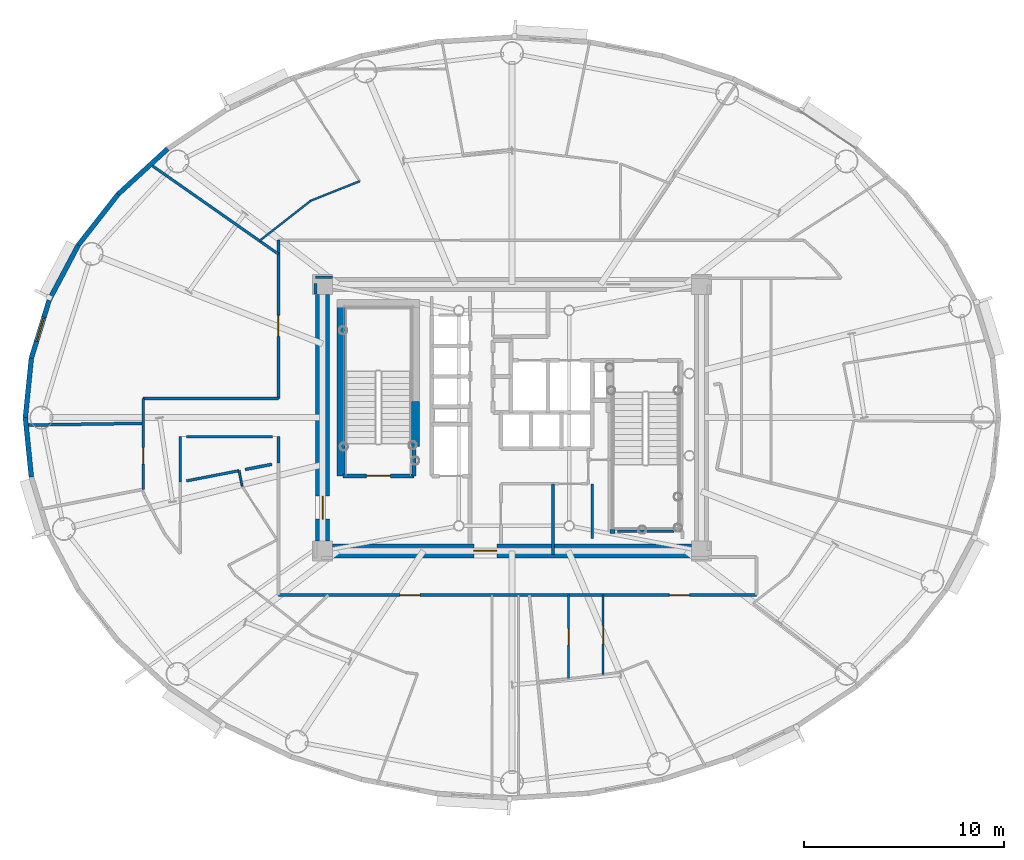
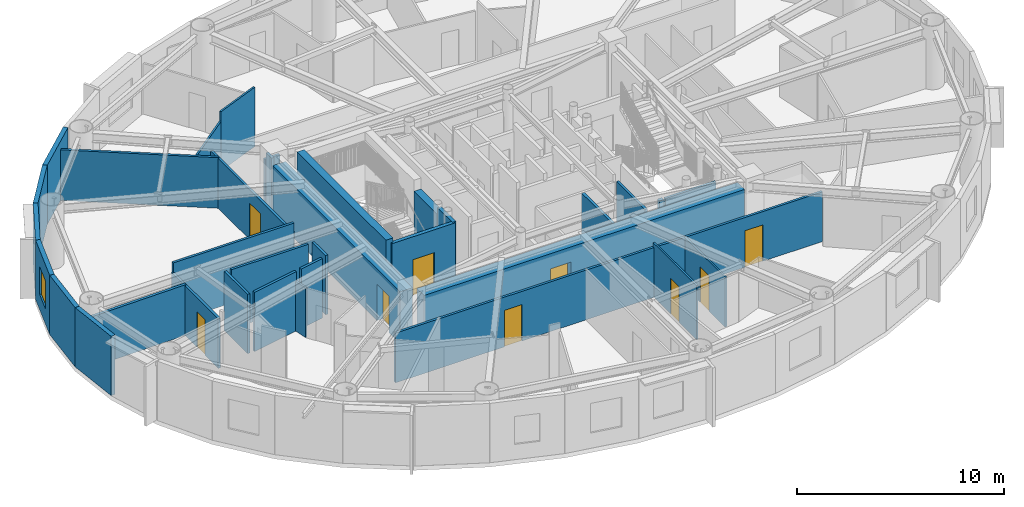
# One storey, part 10 of 21: 34 walls, 9 doors, 1 window, 10 openings.
"""IFC4 building model written with IfcOpenShell, lengths in metres."""

from ifc_helpers import new_model, si_unit, direction, frame, frame_2d, origin, origin_2d, place, context, subcontext, project, spatial, rectangle, extrude, source, transform, mapped, material, layer, layer_set, type_object, element, fill, save


model = new_model("IFC4")

# Units and contexts
model_context = context("Model", 3, precision=1e-05, world=origin(), true_north=direction((0.0, 1.0)))
body_context = subcontext(model_context, "Body", "Model", "MODEL_VIEW")
ifc_project = project(units=[si_unit("LENGTHUNIT", "METRE"), si_unit("AREAUNIT", "SQUARE_METRE"), si_unit("VOLUMEUNIT", "CUBIC_METRE"), si_unit("PLANEANGLEUNIT", "RADIAN"), si_unit("MASSUNIT", "GRAM", prefix="KILO")], contexts=[model_context])

# Site, building, storey
site_placement = place(None, origin())
site = spatial("IfcSite", under=ifc_project, at=site_placement, CompositionType="ELEMENT")
building_placement = place(site_placement, origin())
building = spatial("IfcBuilding", under=site, at=building_placement, Name="Linh Dai School and Residence Tower", CompositionType="ELEMENT")
storey_placement = place(building_placement, frame((0.0, 0.0, 251.550048828125)))
storey = spatial("IfcBuildingStorey", under=building, at=storey_placement, Name="L62", CompositionType="ELEMENT", Elevation=251.550048828125)

# Walls
ifc_material_1 = material(Name="Precast Concrete B45 (C35/45)", Category="concrete")
ifc_layer_1 = layer(ifc_material_1, 0.239990234375)
ifc_layer_set_1 = layer_set([ifc_layer_1], Name="Precast Concrete B45 (C35/45)")
wall_type_1 = type_object("IfcWallType", Name="EW-TC-240", PredefinedType="SOLIDWALL", material=ifc_layer_set_1)
wall_1_placement = place(storey_placement, frame((16.3515625, 38.14453125, 0.0), z_axis=(0.0, 0.0, 1.0), x_axis=(0.737123922599, 0.675757591694, 0.0)))
element("IfcWall", 1, at=wall_1_placement, inside=storey, type_object=wall_type_1, Name="L62 Terracotta Exterior Wall 16", PredefinedType="SOLIDWALL", context=body_context, shape_type="SweptSolid", body=[
    extrude(rectangle(XDim=3.353759765625, YDim=0.239990234375, at=frame_2d((1.6767578125, 0.0))), origin(), (0.0, 0.0, 1.0), 3.5),
])
wall_2_placement = place(storey_placement, frame((14.3642578125, 35.605224609375, 0.0), z_axis=(0.0, 0.0, 1.0), x_axis=(0.616312344705, 0.787501805562, 0.0)))
element("IfcWall", 2, at=wall_2_placement, inside=storey, type_object=wall_type_1, Name="L62 Terracotta Exterior Wall 17", PredefinedType="SOLIDWALL", context=body_context, shape_type="SweptSolid", body=[
    extrude(rectangle(XDim=3.224609375, YDim=0.239990234375, at=frame_2d((1.6123046875, 0.0))), origin(), (0.0, 0.0, 1.0), 3.5),
])
wall_3_placement = place(storey_placement, frame((12.90966796875, 32.85595703125, 0.0), z_axis=(0.0, 0.0, 1.0), x_axis=(0.46766049993, 0.883908172157, 0.0)))
element("IfcWall", 3, at=wall_3_placement, inside=storey, type_object=wall_type_1, Name="L62 Terracotta Exterior Wall 18", PredefinedType="SOLIDWALL", context=body_context, shape_type="SweptSolid", body=[
    extrude(rectangle(XDim=3.1103515625, YDim=0.239990234375, at=frame_2d((1.55517578125, 0.0))), origin(), (0.0, 0.0, 1.0), 3.5),
])

# Wall, opening, window
wall_4_placement = place(storey_placement, frame((12.02294921875, 29.9638671875, 0.0), z_axis=(0.0, 0.0, 1.0), x_axis=(0.293132907334, 0.95607170162, 0.0)))
wall_4 = element("IfcWall", 4, at=wall_4_placement, inside=storey, type_object=wall_type_1, Name="L62 Terracotta Exterior Wall 19", PredefinedType="SOLIDWALL", context=body_context, shape_type="SweptSolid", body=[
    extrude(rectangle(XDim=3.02490234375, YDim=0.239990234375, at=frame_2d((1.512451171875, 0.0))), origin(), (0.0, 0.0, 1.0), 3.5),
])
opening_1_placement = place(wall_4_placement, frame((0.887451171875, 0.0, 0.89990234375)))
opening_1 = element("IfcOpeningElement", 5, at=opening_1_placement, cuts=wall_4, Name="Opening W3", PredefinedType="OPENING", context=body_context, shape_type="SweptSolid", body=[
    extrude(rectangle(XDim=1.25, YDim=1.64990234375, at=origin_2d()), frame((0.625, 0.1298828125, 0.824951171875), z_axis=(0.0, -1.0, 0.0), x_axis=(1.0, 0.0, 0.0)), (0.0, 0.0, 1.0), 0.260009765625),
])
ifc_material_2 = material(Name="Double Low-E Insulated Glazing", Category="glass")
window_type = type_object("IfcWindowType", Name="WN-RES-1250x1650", PartitioningType="SINGLE_PANEL", PredefinedType="WINDOW", material=ifc_material_2)
shared_shape_1 = source(origin(), body_context, "Body", "SweptSolid", [
    extrude(rectangle(XDim=1.25, YDim=1.64990234375, at=origin_2d()), frame((0.625, 0.030029296875, 0.824951171875), z_axis=(0.0, -1.0, 0.0), x_axis=(1.0, 0.0, 0.0)), (0.0, 0.0, 1.0), 0.06005859375),
])
window_placement = place(opening_1_placement, origin())
window = element("IfcWindow", 6, at=window_placement, inside=storey, type_object=window_type, Name="L62 Exterior Window 19.1", OverallHeight=1.64990234375, OverallWidth=1.25, PartitioningType="SINGLE_PANEL", PredefinedType="WINDOW", context=body_context, shape_type="MappedRepresentation", body=[
    mapped(shared_shape_1, transform((0.0, 0.0, 0.0), x_axis=(1.0, 0.0, 0.0), y_axis=(0.0, 1.0, 0.0), z_axis=(0.0, 0.0, 1.0), scale=1.0)),
])
fill(opening_1, window)

# Walls
for number, where, z_axis, x_axis, name in (
    (7, (11.72509765625, 27.0, 0.0), (0.0, 0.0, 1.0), (0.099990595253, 0.994988382274, 0.0), "L62 Terracotta Exterior Wall 20"),
    (8, (12.02294921875, 24.0361328125, 0.0), (0.0, 0.0, 1.0), (-0.099990595253, 0.994988382274, 0.0), "L62 Terracotta Exterior Wall 21"),
):
    element("IfcWall", number, at=place(storey_placement, frame(where, z_axis=z_axis, x_axis=x_axis)), inside=storey, type_object=wall_type_1, Name=name, PredefinedType="SOLIDWALL", context=body_context, shape_type="SweptSolid", body=[
        extrude(rectangle(XDim=2.978759765625, YDim=0.239990234375, at=frame_2d((1.4892578125, 0.0))), origin(), (0.0, 0.0, 1.0), 3.5),
    ])

# Wall, opening, door
ifc_material_3 = material(Name="Autoclaved Aerated Concrete Blockwork", Category="masonry")
ifc_layer_2 = layer(ifc_material_3, 0.135009765625)
ifc_layer_set_2 = layer_set([ifc_layer_2], Name="Autoclaved Aerated Concrete Blockwork")
wall_type_2 = type_object("IfcWallType", Name="IW-CORR-135-EI90", PredefinedType="PARTITIONING", material=ifc_layer_set_2)
wall_5_placement = place(storey_placement, frame((17.60009765625, 23.42333984375, 0.0), z_axis=(0.0, 0.0, 1.0), x_axis=(0.0, 1.0, 0.0)))
wall_5 = element("IfcWall", 9, at=wall_5_placement, inside=storey, type_object=wall_type_2, Name="L62 Interior Partition Wall 004", PredefinedType="PARTITIONING", context=body_context, shape_type="SweptSolid", body=[
    extrude(rectangle(XDim=4.526611328125, YDim=0.135009765625, at=frame_2d((2.26318359375, 0.0))), origin(), (0.0, 0.0, 1.0), 2.93505859375),
])
opening_2_placement = place(wall_5_placement, frame((1.257080078125, 0.0, 0.0)))
opening_2 = element("IfcOpeningElement", 10, at=opening_2_placement, cuts=wall_5, Name="Opening D06", PredefinedType="OPENING", context=body_context, shape_type="SweptSolid", body=[
    extrude(rectangle(XDim=0.820068359375, YDim=2.10009765625, at=origin_2d()), frame((0.41015625, 0.07763671875, 1.050048828125), z_axis=(0.0, -1.0, 0.0), x_axis=(1.0, 0.0, 0.0)), (0.0, 0.0, 1.0), 0.155029296875),
])
ifc_material_4 = material(Name="Moisture-Resistant Timber Bathroom Door", Category="wood")
door_type_1 = type_object("IfcDoorType", Name="DR-WET-820x2100", OperationType="NOTDEFINED", PredefinedType="DOOR", material=ifc_material_4)
shared_shape_2 = source(origin(), body_context, "Body", "SweptSolid", [
    extrude(rectangle(XDim=0.820068359375, YDim=2.10009765625, at=origin_2d()), frame((0.41015625, 0.02490234375, 1.050048828125), z_axis=(0.0, -1.0, 0.0), x_axis=(1.0, 0.0, 0.0)), (0.0, 0.0, 1.0), 0.050048828125),
])
door_1_placement = place(opening_2_placement, origin())
door_1 = element("IfcDoor", 11, at=door_1_placement, inside=storey, type_object=door_type_1, Name="L62 Amenity Accessible WC Door", OperationType="SINGLE_SWING_RIGHT", OverallHeight=2.10009765625, OverallWidth=0.820068359375, PredefinedType="DOOR", context=body_context, shape_type="MappedRepresentation", body=[
    mapped(shared_shape_2, transform((0.0, 0.0, 0.0), x_axis=(1.0, 0.0, 0.0), y_axis=(0.0, 1.0, 0.0), z_axis=(0.0, 0.0, 1.0), scale=1.0)),
])
fill(opening_2, door_1)

# Walls
wall_6_placement = place(storey_placement, frame((17.60009765625, 27.949951171875, 0.0), z_axis=(0.0, 0.0, 1.0), x_axis=(1.0, 0.0, 0.0)))
element("IfcWall", 12, at=wall_6_placement, inside=storey, type_object=wall_type_2, Name="L62 Interior Partition Wall 005", PredefinedType="PARTITIONING", context=body_context, shape_type="SweptSolid", body=[
    extrude(rectangle(XDim=6.75, YDim=0.135009765625, at=frame_2d((3.375, 0.0))), origin(), (0.0, 0.0, 1.0), 3.5),
])
wall_7_placement = place(storey_placement, frame((17.963623046875, 39.629150390625, 0.0), z_axis=(0.0, 0.0, 1.0), x_axis=(0.819162769896, -0.573561118292, 0.0)))
element("IfcWall", 13, at=wall_7_placement, inside=storey, type_object=wall_type_2, Name="L62 Interior Partition Wall 007", PredefinedType="PARTITIONING", context=body_context, shape_type="SweptSolid", body=[
    extrude(rectangle(XDim=7.79638671875, YDim=0.135009765625, at=frame_2d((3.898193359375, 0.0))), origin(), (0.0, 0.0, 1.0), 2.98486328125),
])

# Wall, openings, doors
wall_8_placement = place(storey_placement, frame((24.35009765625, 18.14990234375, 0.0), z_axis=(0.0, 0.0, 1.0), x_axis=(1.0, 0.0, 0.0)))
wall_8 = element("IfcWall", 14, at=wall_8_placement, inside=storey, type_object=wall_type_2, Name="L62 Interior Partition Wall 018", PredefinedType="PARTITIONING", context=body_context, shape_type="SweptSolid", body=[
    extrude(rectangle(XDim=23.849853515625, YDim=0.135009765625, at=frame_2d((11.9248046875, 0.0))), origin(), (0.0, 0.0, 1.0), 2.93505859375),
])
opening_3_placement = place(wall_8_placement, frame((6.0693359375, 0.0, 0.0)))
opening_3 = element("IfcOpeningElement", 15, at=opening_3_placement, cuts=wall_8, Name="Opening D03", PredefinedType="OPENING", context=body_context, shape_type="SweptSolid", body=[
    extrude(rectangle(XDim=1.0, YDim=2.14990234375, at=origin_2d()), frame((0.5, 0.07763671875, 1.074951171875), z_axis=(0.0, -1.0, 0.0), x_axis=(1.0, 0.0, 0.0)), (0.0, 0.0, 1.0), 0.155029296875),
])
opening_4_placement = place(wall_8_placement, frame((19.5048828125, 0.0, 0.0)))
opening_4 = element("IfcOpeningElement", 16, at=opening_4_placement, cuts=wall_8, Name="Opening D03", PredefinedType="OPENING", context=body_context, shape_type="SweptSolid", body=[
    extrude(rectangle(XDim=1.0, YDim=2.14990234375, at=origin_2d()), frame((0.5, 0.07763671875, 1.074951171875), z_axis=(0.0, -1.0, 0.0), x_axis=(1.0, 0.0, 0.0)), (0.0, 0.0, 1.0), 0.155029296875),
])
ifc_material_5 = material(Name="Fire-Rated Solid Timber Entrance Door", Category="wood")
door_type_2 = type_object("IfcDoorType", Name="DR-FLAT-1000x2150-FD60S", OperationType="NOTDEFINED", PredefinedType="DOOR", material=ifc_material_5)
shared_shape_3 = source(origin(), body_context, "Body", "SweptSolid", [
    extrude(rectangle(XDim=1.0, YDim=2.14990234375, at=origin_2d()), frame((0.5, 0.02490234375, 1.074951171875), z_axis=(0.0, -1.0, 0.0), x_axis=(1.0, 0.0, 0.0)), (0.0, 0.0, 1.0), 0.050048828125),
])
door_2_placement = place(opening_3_placement, origin())
door_2 = element("IfcDoor", 17, at=door_2_placement, inside=storey, type_object=door_type_2, Name="L62 U6202 Apartment Entrance Door", OperationType="SINGLE_SWING_LEFT", OverallHeight=2.14990234375, OverallWidth=1.0, PredefinedType="DOOR", context=body_context, shape_type="MappedRepresentation", body=[
    mapped(shared_shape_3, transform((0.0, 0.0, 0.0), x_axis=(1.0, 0.0, 0.0), y_axis=(0.0, 1.0, 0.0), z_axis=(0.0, 0.0, 1.0), scale=1.0)),
])
fill(opening_3, door_2)
door_3_placement = place(opening_4_placement, origin())
door_3 = element("IfcDoor", 18, at=door_3_placement, inside=storey, type_object=door_type_2, Name="L62 U6203 Apartment Entrance Door", OperationType="SINGLE_SWING_LEFT", OverallHeight=2.14990234375, OverallWidth=1.0, PredefinedType="DOOR", context=body_context, shape_type="MappedRepresentation", body=[
    mapped(shared_shape_3, transform((0.0, 0.0, 0.0), x_axis=(1.0, 0.0, 0.0), y_axis=(0.0, 1.0, 0.0), z_axis=(0.0, 0.0, 1.0), scale=1.0)),
])
fill(opening_4, door_3)

# Wall, opening, door
wall_9_placement = place(storey_placement, frame((24.35009765625, 27.949951171875, 0.0), z_axis=(0.0, 0.0, 1.0), x_axis=(0.0, 1.0, 0.0)))
wall_9 = element("IfcWall", 19, at=wall_9_placement, inside=storey, type_object=wall_type_2, Name="L62 Interior Partition Wall 019", PredefinedType="PARTITIONING", context=body_context, shape_type="SweptSolid", body=[
    extrude(rectangle(XDim=7.900146484375, YDim=0.135009765625, at=frame_2d((3.9501953125, 0.0))), origin(), (0.0, 0.0, 1.0), 2.93505859375),
])
opening_5_placement = place(wall_9_placement, frame((3.0986328125, 0.0, 0.0)))
opening_5 = element("IfcOpeningElement", 20, at=opening_5_placement, cuts=wall_9, Name="Opening D04", PredefinedType="OPENING", context=body_context, shape_type="SweptSolid", body=[
    extrude(rectangle(XDim=1.050048828125, YDim=2.14990234375, at=origin_2d()), frame((0.52490234375, 0.07763671875, 1.074951171875), z_axis=(0.0, -1.0, 0.0), x_axis=(1.0, 0.0, 0.0)), (0.0, 0.0, 1.0), 0.155029296875),
])
ifc_material_6 = material(Name="Acoustic Vision-Panel Timber Classroom Door", Category="wood")
door_type_3 = type_object("IfcDoorType", Name="DR-SCH-1050x2150-FD60S", OperationType="NOTDEFINED", PredefinedType="DOOR", material=ifc_material_6)
shared_shape_4 = source(origin(), body_context, "Body", "SweptSolid", [
    extrude(rectangle(XDim=1.050048828125, YDim=2.14990234375, at=origin_2d()), frame((0.52490234375, 0.02490234375, 1.074951171875), z_axis=(0.0, -1.0, 0.0), x_axis=(1.0, 0.0, 0.0)), (0.0, 0.0, 1.0), 0.050048828125),
])
door_4_placement = place(opening_5_placement, origin())
door_4 = element("IfcDoor", 21, at=door_4_placement, inside=storey, type_object=door_type_3, Name="L62 Quiet Study Library Door", OperationType="SINGLE_SWING_LEFT", OverallHeight=2.14990234375, OverallWidth=1.050048828125, PredefinedType="DOOR", context=body_context, shape_type="MappedRepresentation", body=[
    mapped(shared_shape_4, transform((0.0, 0.0, 0.0), x_axis=(1.0, 0.0, 0.0), y_axis=(0.0, 1.0, 0.0), z_axis=(0.0, 0.0, 1.0), scale=1.0)),
])
fill(opening_5, door_4)

# Walls
wall_10_placement = place(storey_placement, frame((44.080078125, 21.330078125, 0.0), z_axis=(0.0, 0.0, 1.0), x_axis=(-1.0, 0.0, 0.0)))
element("IfcWall", 22, at=wall_10_placement, inside=storey, type_object=wall_type_2, Name="L62 Interior Partition Wall 092", PredefinedType="PARTITIONING", context=body_context, shape_type="SweptSolid", body=[
    extrude(rectangle(XDim=2.820068359375, YDim=0.135009765625, at=frame_2d((1.41015625, 0.0))), origin(), (0.0, 0.0, 1.0), 3.034912109375),
])
wall_11_placement = place(storey_placement, frame((40.0, 23.699951171875, 0.0), z_axis=(0.0, 0.0, 1.0), x_axis=(0.0, -1.0, 0.0)))
element("IfcWall", 23, at=wall_11_placement, inside=storey, type_object=wall_type_2, Name="L62 Interior Partition Wall 094", PredefinedType="PARTITIONING", context=body_context, shape_type="SweptSolid", body=[
    extrude(rectangle(XDim=2.739990234375, YDim=0.135009765625, at=frame_2d((1.3701171875, 0.0))), origin(), (0.0, 0.0, 1.0), 3.034912109375),
])
wall_12_placement = place(storey_placement, frame((19.449951171875, 26.050048828125, 0.0), z_axis=(0.0, 0.0, 1.0), x_axis=(0.0, -1.0, 0.0)))
element("IfcWall", 24, at=wall_12_placement, inside=storey, type_object=wall_type_2, Name="L62 Interior Partition Wall 098", PredefinedType="PARTITIONING", context=body_context, shape_type="SweptSolid", body=[
    extrude(rectangle(XDim=2.257080078125, YDim=0.135009765625, at=frame_2d((1.12841796875, 0.0))), origin(), (0.0, 0.0, 1.0), 3.5),
])
wall_13_placement = place(storey_placement, frame((27.0400390625, 34.0, 0.0), z_axis=(0.0, 0.0, 1.0), x_axis=(-1.0, 0.0, 0.0)))
element("IfcWall", 25, at=wall_13_placement, inside=storey, type_object=wall_type_2, Name="L62 Interior Partition Wall 100", PredefinedType="PARTITIONING", context=body_context, shape_type="SweptSolid", body=[
    extrude(rectangle(XDim=0.840087890625, YDim=0.135009765625, at=frame_2d((0.419921875, 0.0))), origin(), (0.0, 0.0, 1.0), 2.93505859375),
])
wall_14_placement = place(storey_placement, frame((26.199951171875, 33.6923828125, 0.0), z_axis=(0.0, 0.0, 1.0), x_axis=(0.0, -1.0, 0.0)))
element("IfcWall", 26, at=wall_14_placement, inside=storey, type_object=wall_type_2, Name="L62 Interior Partition Wall 101", PredefinedType="PARTITIONING", context=body_context, shape_type="SweptSolid", body=[
    extrude(rectangle(XDim=0.532470703125, YDim=0.135009765625, at=frame_2d((0.26611328125, 0.0))), origin(), (0.0, 0.0, 1.0), 3.5),
])
wall_15_placement = place(storey_placement, frame((24.35009765625, 24.745361328125, 0.0), z_axis=(0.0, 0.0, 1.0), x_axis=(0.0, 1.0, 0.0)))
element("IfcWall", 27, at=wall_15_placement, inside=storey, type_object=wall_type_2, Name="L62 Interior Partition Wall 105", PredefinedType="PARTITIONING", context=body_context, shape_type="SweptSolid", body=[
    extrude(rectangle(XDim=1.3046875, YDim=0.135009765625, at=frame_2d((0.65234375, 0.0))), origin(), (0.0, 0.0, 1.0), 3.5),
])
wall_16_placement = place(storey_placement, frame((24.04248046875, 26.050048828125, 0.0), z_axis=(0.0, 0.0, 1.0), x_axis=(-1.0, 0.0, 0.0)))
element("IfcWall", 28, at=wall_16_placement, inside=storey, type_object=wall_type_2, Name="L62 Interior Partition Wall 106", PredefinedType="PARTITIONING", context=body_context, shape_type="SweptSolid", body=[
    extrude(rectangle(XDim=4.284912109375, YDim=0.135009765625, at=frame_2d((2.142578125, 0.0))), origin(), (0.0, 0.0, 1.0), 3.5),
])
wall_17_placement = place(storey_placement, frame((19.757568359375, 23.8427734375, 0.0), z_axis=(0.0, 0.0, 1.0), x_axis=(0.98161966457, 0.190847672582, 0.0)))
element("IfcWall", 29, at=wall_17_placement, inside=storey, type_object=wall_type_2, Name="L62 Interior Partition Wall 108", PredefinedType="PARTITIONING", context=body_context, shape_type="SweptSolid", body=[
    extrude(rectangle(XDim=2.6748046875, YDim=0.135009765625, at=frame_2d((1.33740234375, 0.0))), origin(), (0.0, 0.0, 1.0), 3.5),
])
ifc_layer_3 = layer(ifc_material_3, 0.14990234375)
ifc_layer_set_3 = layer_set([ifc_layer_3], Name="Autoclaved Aerated Concrete Blockwork")
wall_type_3 = type_object("IfcWallType", Name="IW-SCH-150-EI60", PredefinedType="PARTITIONING", material=ifc_layer_set_3)
wall_18_placement = place(storey_placement, frame((11.75732421875, 26.627685546875, 0.0), z_axis=(0.0, 0.0, 1.0), x_axis=(0.999882437841, 0.015333313333, 0.0)))
element("IfcWall", 30, at=wall_18_placement, inside=storey, type_object=wall_type_3, Name="L62 Interior Partition Wall 001", PredefinedType="PARTITIONING", context=body_context, shape_type="SweptSolid", body=[
    extrude(rectangle(XDim=5.843505859375, YDim=0.14990234375, at=frame_2d((2.921875, 0.0))), origin(), (0.0, 0.0, 1.0), 2.98486328125),
])
wall_19_placement = place(storey_placement, frame((38.050048828125, 20.179931640625, 0.0), z_axis=(0.0, 0.0, 1.0), x_axis=(0.0, 1.0, 0.0)))
element("IfcWall", 31, at=wall_19_placement, inside=storey, type_object=wall_type_3, Name="L62 Interior Partition Wall 059", PredefinedType="PARTITIONING", context=body_context, shape_type="SweptSolid", body=[
    extrude(rectangle(XDim=3.52001953125, YDim=0.14990234375, at=frame_2d((1.760009765625, 0.0))), origin(), (0.0, 0.0, 1.0), 3.034912109375),
])
wall_20_placement = place(storey_placement, frame((22.687744140625, 24.412353515625, 0.0), z_axis=(0.0, 0.0, 1.0), x_axis=(0.981616324133, 0.19086485322, 0.0)))
element("IfcWall", 32, at=wall_20_placement, inside=storey, type_object=wall_type_3, Name="L62 Interior Partition Wall 107", PredefinedType="PARTITIONING", context=body_context, shape_type="SweptSolid", body=[
    extrude(rectangle(XDim=1.359619140625, YDim=0.14990234375, at=frame_2d((0.6796875, 0.0))), origin(), (0.0, 0.0, 1.0), 3.5),
])

# Wall, opening, door
ifc_material_7 = material(Name="Concrete B45 (C35/45)", Category="concrete")
ifc_layer_4 = layer(ifc_material_7, 0.199951171875)
ifc_layer_set_4 = layer_set([ifc_layer_4], Name="Concrete B45 (C35/45)")
wall_type_4 = type_object("IfcWallType", Name="IW-SHAFT-200-EI120", PredefinedType="PARTITIONING", material=ifc_layer_set_4)
wall_21_placement = place(storey_placement, frame((27.56005859375, 24.10009765625, 0.0), z_axis=(0.0, 0.0, 1.0), x_axis=(1.0, 0.0, 0.0)))
wall_21 = element("IfcWall", 33, at=wall_21_placement, inside=storey, type_object=wall_type_4, Name="L62 Interior Partition Wall 025", PredefinedType="PARTITIONING", context=body_context, shape_type="SweptSolid", body=[
    extrude(rectangle(XDim=3.5400390625, YDim=0.199951171875, at=frame_2d((1.77001953125, 0.0))), origin(), (0.0, 0.0, 1.0), 3.5),
])
opening_6_placement = place(wall_21_placement, frame((1.169921875, 0.0, 0.0)))
opening_6 = element("IfcOpeningElement", 34, at=opening_6_placement, cuts=wall_21, Name="Opening D01", PredefinedType="OPENING", context=body_context, shape_type="SweptSolid", body=[
    extrude(rectangle(XDim=1.199951171875, YDim=2.14990234375, at=origin_2d()), frame((0.60009765625, 0.10986328125, 1.074951171875), z_axis=(0.0, -1.0, 0.0), x_axis=(1.0, 0.0, 0.0)), (0.0, 0.0, 1.0), 0.219970703125),
])
ifc_material_8 = material(Name="Fire-Rated Steel Door Leaf", Category="steel")
door_type_4 = type_object("IfcDoorType", Name="DR-STAIR-1200x2150-FD90S", OperationType="NOTDEFINED", PredefinedType="DOOR", material=ifc_material_8)
shared_shape_5 = source(origin(), body_context, "Body", "SweptSolid", [
    extrude(rectangle(XDim=1.199951171875, YDim=2.14990234375, at=origin_2d()), frame((0.60009765625, 0.02490234375, 1.074951171875), z_axis=(0.0, -1.0, 0.0), x_axis=(1.0, 0.0, 0.0)), (0.0, 0.0, 1.0), 0.050048828125),
])
door_5_placement = place(opening_6_placement, origin())
door_5 = element("IfcDoor", 35, at=door_5_placement, inside=storey, type_object=door_type_4, Name="L62 Core Smokeproof Exit Stair ST1 Door", OperationType="SINGLE_SWING_RIGHT", OverallHeight=2.14990234375, OverallWidth=1.199951171875, PredefinedType="DOOR", context=body_context, shape_type="MappedRepresentation", body=[
    mapped(shared_shape_5, transform((0.0, 0.0, 0.0), x_axis=(1.0, 0.0, 0.0), y_axis=(0.0, 1.0, 0.0), z_axis=(0.0, 0.0, 1.0), scale=1.0)),
])
fill(opening_6, door_5)

# Walls
wall_22_placement = place(storey_placement, frame((31.10009765625, 24.10009765625, 0.0), z_axis=(0.0, 0.0, 1.0), x_axis=(0.0, 1.0, 0.0)))
element("IfcWall", 36, at=wall_22_placement, inside=storey, type_object=wall_type_4, Name="L62 Interior Partition Wall 028", PredefinedType="PARTITIONING", context=body_context, shape_type="SweptSolid", body=[
    extrude(rectangle(XDim=1.43994140625, YDim=0.199951171875, at=frame_2d((0.719970703125, 0.0))), origin(), (0.0, 0.0, 1.0), 3.5),
])
wall_23_placement = place(storey_placement, frame((40.89990234375, 21.330078125, 0.0), z_axis=(0.0, 0.0, 1.0), x_axis=(1.0, 0.0, 0.0)))
element("IfcWall", 37, at=wall_23_placement, inside=storey, type_object=wall_type_4, Name="L62 Interior Partition Wall 069", PredefinedType="PARTITIONING", context=body_context, shape_type="SweptSolid", body=[
    extrude(rectangle(XDim=0.25, YDim=0.199951171875, at=frame_2d((0.125, 0.0))), origin(), (0.0, 0.0, 1.0), 3.034912109375),
])
ifc_material_9 = material(Name="Gypsum Plasterboard Acoustic Stud Partition", Category="masonry")
ifc_layer_5 = layer(ifc_material_9, 0.10009765625)
ifc_layer_set_5 = layer_set([ifc_layer_5], Name="Gypsum Plasterboard Acoustic Stud Partition")
wall_type_5 = type_object("IfcWallType", Name="IW-UNIT-100", PredefinedType="PARTITIONING", material=ifc_layer_set_5)
wall_24_placement = place(storey_placement, frame((22.38330078125, 24.353271484375, 0.0), z_axis=(0.0, 0.0, 1.0), x_axis=(0.198542560358, -0.980092266946, 0.0)))
element("IfcWall", 38, at=wall_24_placement, inside=storey, type_object=wall_type_5, Name="L62 Interior Partition Wall 014", PredefinedType="PARTITIONING", context=body_context, shape_type="SweptSolid", body=[
    extrude(rectangle(XDim=0.793212890625, YDim=0.10009765625, at=frame_2d((0.396484375, 0.0))), origin(), (0.0, 0.0, 1.0), 2.93505859375),
])
wall_25_placement = place(storey_placement, frame((23.405517578125, 35.81884765625, 0.0), z_axis=(0.0, 0.0, 1.0), x_axis=(0.787387506959, 0.616458363465, 0.0)))
element("IfcWall", 39, at=wall_25_placement, inside=storey, type_object=wall_type_5, Name="L62 Interior Partition Wall 016", PredefinedType="PARTITIONING", context=body_context, shape_type="SweptSolid", body=[
    extrude(rectangle(XDim=3.2451171875, YDim=0.10009765625, at=frame_2d((1.62255859375, 0.0))), origin(), (0.0, 0.0, 1.0), 2.93505859375),
])
wall_26_placement = place(storey_placement, frame((25.960693359375, 37.8193359375, 0.0), z_axis=(0.0, 0.0, 1.0), x_axis=(0.928796141516, 0.370591051572, 0.0)))
element("IfcWall", 40, at=wall_26_placement, inside=storey, type_object=wall_type_5, Name="L62 Interior Partition Wall 023", PredefinedType="PARTITIONING", context=body_context, shape_type="SweptSolid", body=[
    extrude(rectangle(XDim=2.632568359375, YDim=0.10009765625, at=frame_2d((1.31640625, 0.0))), origin(), (0.0, 0.0, 1.0), 3.5),
])

# Wall, opening, door
wall_27_placement = place(storey_placement, frame((38.825927734375, 13.97705078125, 0.0), z_axis=(0.0, 0.0, 1.0), x_axis=(0.0, 1.0, 0.0)))
wall_27 = element("IfcWall", 41, at=wall_27_placement, inside=storey, type_object=wall_type_5, Name="L62 Interior Partition Wall 062", PredefinedType="PARTITIONING", context=body_context, shape_type="SweptSolid", body=[
    extrude(rectangle(XDim=4.1728515625, YDim=0.10009765625, at=frame_2d((2.08642578125, 0.0))), origin(), (0.0, 0.0, 1.0), 3.18505859375),
])
opening_7_placement = place(wall_27_placement, frame((1.676513671875, 0.0, 0.0)))
opening_7 = element("IfcOpeningElement", 42, at=opening_7_placement, cuts=wall_27, Name="Opening D06", PredefinedType="OPENING", context=body_context, shape_type="SweptSolid", body=[
    extrude(rectangle(XDim=0.820068359375, YDim=2.10009765625, at=origin_2d()), frame((0.41015625, 0.06005859375, 1.050048828125), z_axis=(0.0, -1.0, 0.0), x_axis=(1.0, 0.0, 0.0)), (0.0, 0.0, 1.0), 0.1201171875),
])
door_6_placement = place(opening_7_placement, origin())
door_6 = element("IfcDoor", 43, at=door_6_placement, inside=storey, type_object=door_type_1, Name="L62 Apartment U6203 Bathroom 1 Door", OperationType="SINGLE_SWING_LEFT", OverallHeight=2.10009765625, OverallWidth=0.820068359375, PredefinedType="DOOR", context=body_context, shape_type="MappedRepresentation", body=[
    mapped(shared_shape_2, transform((0.0, 0.0, 0.0), x_axis=(1.0, 0.0, 0.0), y_axis=(0.0, 1.0, 0.0), z_axis=(0.0, 0.0, 1.0), scale=1.0)),
])
fill(opening_7, door_6)

wall_28_placement = place(storey_placement, frame((40.550048828125, 14.190673828125, 0.0), z_axis=(0.0, 0.0, 1.0), x_axis=(0.0, 1.0, 0.0)))
wall_28 = element("IfcWall", 44, at=wall_28_placement, inside=storey, type_object=wall_type_5, Name="L62 Interior Partition Wall 067", PredefinedType="PARTITIONING", context=body_context, shape_type="SweptSolid", body=[
    extrude(rectangle(XDim=3.959228515625, YDim=0.10009765625, at=frame_2d((1.9794921875, 0.0))), origin(), (0.0, 0.0, 1.0), 2.93505859375),
])
opening_8_placement = place(wall_28_placement, frame((1.529541015625, 0.0, 0.0)))
opening_8 = element("IfcOpeningElement", 45, at=opening_8_placement, cuts=wall_28, Name="Opening D05", PredefinedType="OPENING", context=body_context, shape_type="SweptSolid", body=[
    extrude(rectangle(XDim=0.89990234375, YDim=2.10009765625, at=origin_2d()), frame((0.449951171875, 0.06005859375, 1.050048828125), z_axis=(0.0, -1.0, 0.0), x_axis=(1.0, 0.0, 0.0)), (0.0, 0.0, 1.0), 0.1201171875),
])
ifc_material_10 = material(Name="Engineered Timber Internal Door", Category="wood")
door_type_5 = type_object("IfcDoorType", Name="DR-INT-900x2100", OperationType="NOTDEFINED", PredefinedType="DOOR", material=ifc_material_10)
shared_shape_6 = source(origin(), body_context, "Body", "SweptSolid", [
    extrude(rectangle(XDim=0.89990234375, YDim=2.10009765625, at=origin_2d()), frame((0.449951171875, 0.02490234375, 1.050048828125), z_axis=(0.0, -1.0, 0.0), x_axis=(1.0, 0.0, 0.0)), (0.0, 0.0, 1.0), 0.050048828125),
])
door_7_placement = place(opening_8_placement, origin())
door_7 = element("IfcDoor", 46, at=door_7_placement, inside=storey, type_object=door_type_5, Name="L62 Apartment U6203 Kitchen Door", OperationType="SINGLE_SWING_RIGHT", OverallHeight=2.10009765625, OverallWidth=0.89990234375, PredefinedType="DOOR", context=body_context, shape_type="MappedRepresentation", body=[
    mapped(shared_shape_6, transform((0.0, 0.0, 0.0), x_axis=(1.0, 0.0, 0.0), y_axis=(0.0, 1.0, 0.0), z_axis=(0.0, 0.0, 1.0), scale=1.0)),
])
fill(opening_8, door_7)

# Walls
ifc_layer_6 = layer(ifc_material_7, 0.39990234375)
ifc_layer_set_6 = layer_set([ifc_layer_6], Name="Concrete B45 (C35/45)")
wall_type_6 = type_object("IfcWallType", Name="WL-CORE400", PredefinedType="SHEAR", material=ifc_layer_set_6)
wall_29_placement = place(storey_placement, frame((27.47998046875, 24.10009765625, 0.0), z_axis=(0.0, 0.0, 1.0), x_axis=(0.0, 1.0, 0.0)))
element("IfcWall", 47, at=wall_29_placement, inside=storey, type_object=wall_type_6, Name="L62 Core Stair ST1 Bearing Wall W", PredefinedType="SHEAR", context=body_context, shape_type="SweptSolid", body=[
    extrude(rectangle(XDim=8.599853515625, YDim=0.39990234375, at=frame_2d((4.2998046875, 0.0))), origin(), (0.0, 0.0, 1.0), 3.75),
])
wall_30_placement = place(storey_placement, frame((31.179931640625, 25.550048828125, 0.0), z_axis=(0.0, 0.0, 1.0), x_axis=(0.0, 1.0, 0.0)))
element("IfcWall", 48, at=wall_30_placement, inside=storey, type_object=wall_type_6, Name="L62 Internal Core Shear Wall IW", PredefinedType="SHEAR", context=body_context, shape_type="SweptSolid", body=[
    extrude(rectangle(XDim=2.25, YDim=0.39990234375, at=frame_2d((1.125, 0.0))), origin(), (0.0, 0.0, 1.0), 3.099853515625),
])

# Wall, opening, door
ifc_layer_7 = layer(ifc_material_7, 0.699951171875)
ifc_layer_set_7 = layer_set([ifc_layer_7], Name="Concrete B45 (C35/45)")
wall_type_7 = type_object("IfcWallType", Name="WL-CORE700", PredefinedType="SHEAR", material=ifc_layer_set_7)
wall_31_placement = place(storey_placement, frame((44.949951171875, 20.35009765625, 0.0), z_axis=(0.0, 0.0, 1.0), x_axis=(-1.0, 0.0, 0.0)))
wall_31 = element("IfcWall", 49, at=wall_31_placement, inside=storey, type_object=wall_type_7, Name="L62 Central Core Shear Wall S", PredefinedType="SHEAR", context=body_context, shape_type="SweptSolid", body=[
    extrude(rectangle(XDim=17.89990234375, YDim=0.699951171875, at=frame_2d((8.949951171875, 0.0))), origin(), (0.0, 0.0, 1.0), 3.050048828125),
])
opening_9_placement = place(wall_31_placement, frame((9.699951171875, 0.0, 0.0)))
opening_9 = element("IfcOpeningElement", 50, at=opening_9_placement, cuts=wall_31, Name="Opening D02", PredefinedType="OPENING", context=body_context, shape_type="SweptSolid", body=[
    extrude(rectangle(XDim=1.14990234375, YDim=2.14990234375, at=origin_2d()), frame((0.574951171875, 0.35986328125, 1.074951171875), z_axis=(0.0, -1.0, 0.0), x_axis=(1.0, 0.0, 0.0)), (0.0, 0.0, 1.0), 0.719970703125),
])
ifc_material_11 = material(Name="Fire-Rated Glazed Steel Lobby Door", Category="steel")
door_type_6 = type_object("IfcDoorType", Name="DR-LOBBY-1150x2150-FD90S", OperationType="NOTDEFINED", PredefinedType="DOOR", material=ifc_material_11)
shared_shape_7 = source(origin(), body_context, "Body", "SweptSolid", [
    extrude(rectangle(XDim=1.14990234375, YDim=2.14990234375, at=origin_2d()), frame((0.574951171875, 0.02490234375, 1.074951171875), z_axis=(0.0, -1.0, 0.0), x_axis=(1.0, 0.0, 0.0)), (0.0, 0.0, 1.0), 0.050048828125),
])
door_8_placement = place(opening_9_placement, origin())
door_8 = element("IfcDoor", 51, at=door_8_placement, inside=storey, type_object=door_type_6, Name="L62 Passenger Foyer Access Door", OperationType="SINGLE_SWING_LEFT", OverallHeight=2.14990234375, OverallWidth=1.14990234375, PredefinedType="DOOR", context=body_context, shape_type="MappedRepresentation", body=[
    mapped(shared_shape_7, transform((0.0, 0.0, 0.0), x_axis=(1.0, 0.0, 0.0), y_axis=(0.0, 1.0, 0.0), z_axis=(0.0, 0.0, 1.0), scale=1.0)),
])
fill(opening_9, door_8)

wall_32_placement = place(storey_placement, frame((26.550048828125, 20.85009765625, 0.0), z_axis=(0.0, 0.0, 1.0), x_axis=(0.0, 1.0, 0.0)))
wall_32 = element("IfcWall", 52, at=wall_32_placement, inside=storey, type_object=wall_type_7, Name="L62 Central Core Shear Wall W", PredefinedType="SHEAR", context=body_context, shape_type="SweptSolid", body=[
    extrude(rectangle(XDim=12.2998046875, YDim=0.699951171875, at=frame_2d((6.14990234375, 0.0))), origin(), (0.0, 0.0, 1.0), 3.050048828125),
])
opening_10_placement = place(wall_32_placement, frame((1.085205078125, 0.0, 0.0)))
opening_10 = element("IfcOpeningElement", 53, at=opening_10_placement, cuts=wall_32, Name="Opening D02", PredefinedType="OPENING", context=body_context, shape_type="SweptSolid", body=[
    extrude(rectangle(XDim=1.14990234375, YDim=2.14990234375, at=origin_2d()), frame((0.574951171875, 0.35986328125, 1.074951171875), z_axis=(0.0, -1.0, 0.0), x_axis=(1.0, 0.0, 0.0)), (0.0, 0.0, 1.0), 0.719970703125),
])
door_9_placement = place(opening_10_placement, origin())
door_9 = element("IfcDoor", 54, at=door_9_placement, inside=storey, type_object=door_type_6, Name="L62 Firefighting Lobby Door", OperationType="SINGLE_SWING_LEFT", OverallHeight=2.14990234375, OverallWidth=1.14990234375, PredefinedType="DOOR", context=body_context, shape_type="MappedRepresentation", body=[
    mapped(shared_shape_7, transform((0.0, 0.0, 0.0), x_axis=(1.0, 0.0, 0.0), y_axis=(0.0, 1.0, 0.0), z_axis=(0.0, 0.0, 1.0), scale=1.0)),
])
fill(opening_10, door_9)

save(model, "model.ifc")
